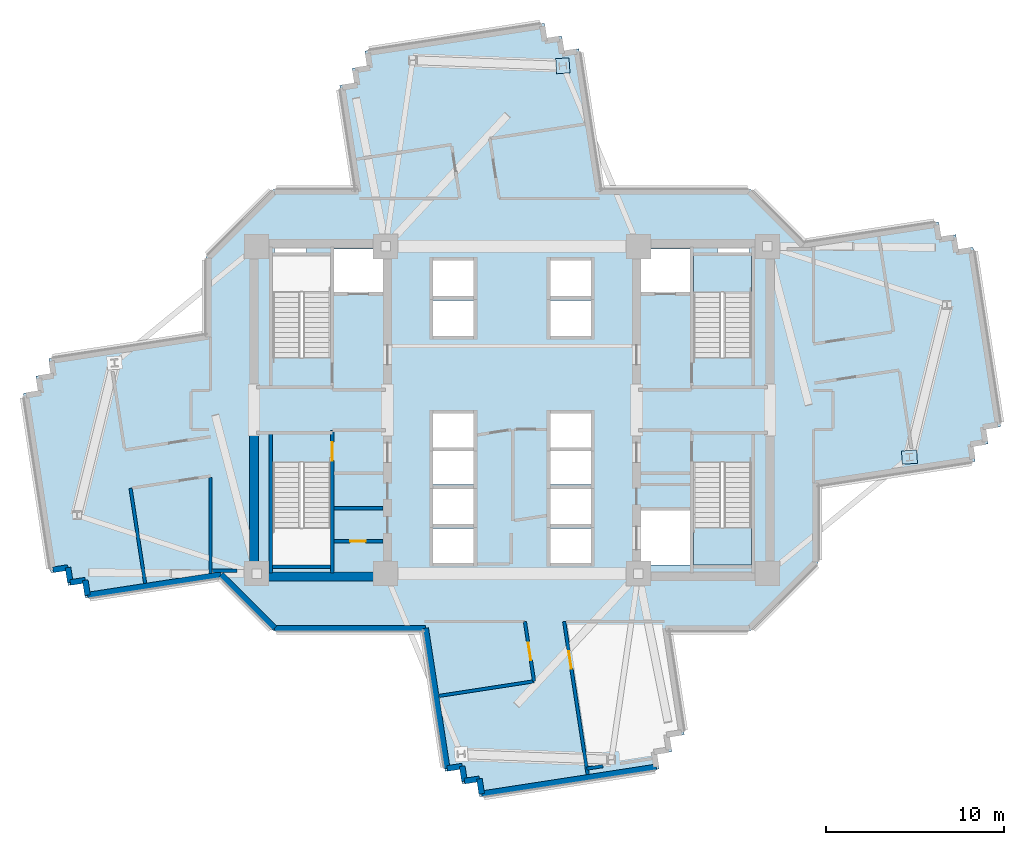
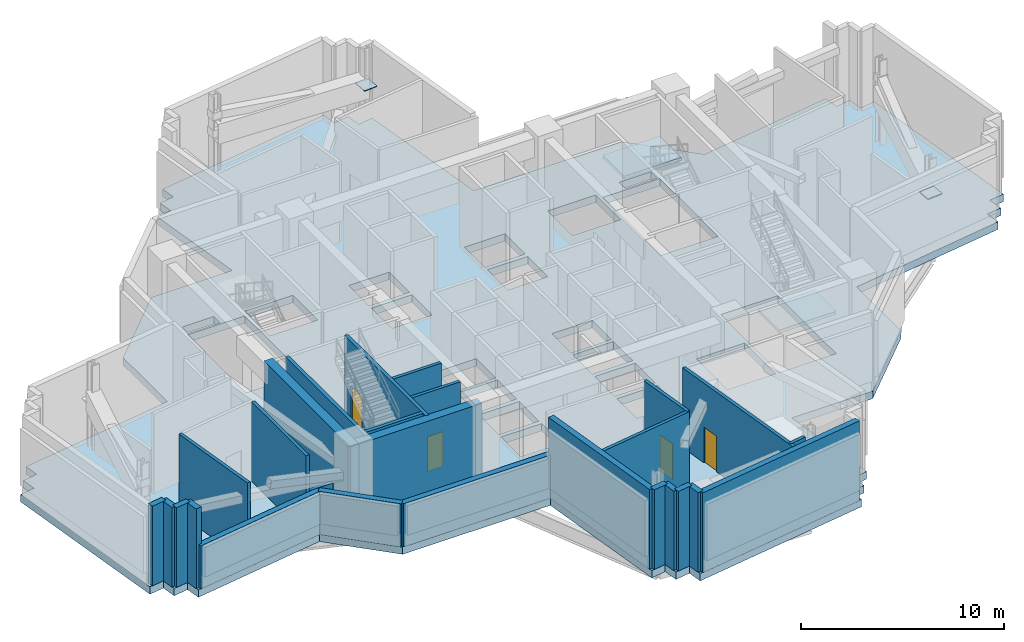
# One storey, part 2 of 10: 27 walls, 4 doors, 3 slabs, 2 plates, 4 openings, 2 elements without a shape of their own.
"""IFC4 building model written with IfcOpenShell, lengths in metres."""

from ifc_helpers import new_model, si_unit, direction, frame, frame_2d, origin, origin_2d, place, context, subcontext, project, spatial, polyline, rectangle, outline, extrude, source, transform, mapped, material, layer, layer_set, type_object, element, fill, aggregate, save


model = new_model("IFC4")

# Units and contexts
model_context = context("Model", 3, precision=1e-05, world=origin(), true_north=direction((0.0, 1.0)))
body_context = subcontext(model_context, "Body", "Model", "MODEL_VIEW")
ifc_project = project(units=[si_unit("LENGTHUNIT", "METRE"), si_unit("AREAUNIT", "SQUARE_METRE"), si_unit("VOLUMEUNIT", "CUBIC_METRE"), si_unit("PLANEANGLEUNIT", "RADIAN"), si_unit("MASSUNIT", "GRAM", prefix="KILO")], contexts=[model_context])

# Site, building, storey
site_placement = place(None, origin())
site = spatial("IfcSite", under=ifc_project, at=site_placement, CompositionType="ELEMENT")
building_placement = place(site_placement, origin())
building = spatial("IfcBuilding", under=site, at=building_placement, Name="Zahravan Cultural Tower", CompositionType="ELEMENT")
storey_placement = place(building_placement, frame((0.0, 0.0, 125.699951171875)))
storey = spatial("IfcBuildingStorey", under=building, at=storey_placement, Name="L28", CompositionType="ELEMENT", Elevation=125.699951171875)

# Stair, slab
ifc_material_1 = material(Name="Concrete C45/55", Category="concrete")
stair_type = type_object("IfcStairType", Name="STR-DL-1550-510", PredefinedType="HALF_TURN_STAIR", material=ifc_material_1)
stair_1_placement = place(storey_placement, origin())
stair_1 = element("IfcStair", 1, at=stair_1_placement, inside=storey, type_object=stair_type, Name="L28 East Core North Exit Stair ST-E1", PredefinedType="HALF_TURN_STAIR")
ifc_layer_1 = layer(ifc_material_1, 0.199951171875)
ifc_layer_set_1 = layer_set([ifc_layer_1], Name="Concrete C45/55")
slab_type_1 = type_object("IfcSlabType", Name="SL-STAIR-LND200", PredefinedType="LANDING", material=ifc_layer_set_1)
slab_1_placement = place(storey_placement, frame((0.0, 0.0, 2.35009765625)))
slab_1 = element("IfcSlab", 2, at=slab_1_placement, type_object=slab_type_1, Name="ST-E1 landing 1", PredefinedType="LANDING", context=body_context, shape_type="SweptSolid", body=[
    extrude(outline(polyline([(49.449951171875, 33.590087890625), (49.449951171875, 35.699951171875), (46.199951171875, 35.699951171875), (46.199951171875, 33.590087890625), (49.449951171875, 33.590087890625)])), origin(), (0.0, 0.0, 1.0), 0.199951171875),
])
aggregate(stair_1, [slab_1])

stair_2_placement = place(storey_placement, origin())
stair_2 = element("IfcStair", 3, at=stair_2_placement, inside=storey, type_object=stair_type, Name="L28 East Core South Exit Stair ST-E2", PredefinedType="HALF_TURN_STAIR")
slab_2_placement = place(storey_placement, frame((0.0, 0.0, 2.35009765625)))
slab_2 = element("IfcSlab", 4, at=slab_2_placement, type_object=slab_type_1, Name="ST-E2 landing 1", PredefinedType="LANDING", context=body_context, shape_type="SweptSolid", body=[
    extrude(outline(polyline([(46.199951171875, 20.409912109375), (46.199951171875, 18.300048828125), (49.449951171875, 18.300048828125), (49.449951171875, 20.409912109375), (46.199951171875, 20.409912109375)])), origin(), (0.0, 0.0, 1.0), 0.199951171875),
])
aggregate(stair_2, [slab_2])

# Slab
ifc_material_2 = material(Name="Concrete C50/60", Category="concrete")
ifc_layer_2 = layer(ifc_material_2, 0.449951171875)
ifc_layer_set_2 = layer_set([ifc_layer_2], Name="Concrete C50/60")
slab_type_2 = type_object("IfcSlabType", Name="SL-TRANS-450", PredefinedType="FLOOR", material=ifc_layer_set_2)
slab_3_placement = place(storey_placement, frame((0.0, 0.0, -0.449951171875)))
element("IfcSlab", 5, at=slab_3_placement, inside=storey, type_object=slab_type_2, Name="L28 Structural Floor Slab", PredefinedType="FLOOR", context=body_context, shape_type="SweptSolid", body=[
    extrude(outline(polyline([(52.39892578125, 36.40087890625), (49.39990234375, 39.39990234375), (40.9736328125, 39.39990234375), (39.758056640625, 47.306884765625), (38.91796875, 47.177734375), (38.788818359375, 48.017822265625), (37.948486328125, 47.888671875), (37.8193359375, 48.728759765625), (27.73779296875, 47.178955078125), (27.866943359375, 46.338623046875), (27.02685546875, 46.209716796875), (27.156005859375, 45.369384765625), (26.31591796875, 45.240234375), (27.2138671875, 39.39990234375), (22.60009765625, 39.39990234375), (18.800048828125, 35.60009765625), (18.800048828125, 31.235595703125), (9.96044921875, 29.876708984375), (10.089599609375, 29.03662109375), (9.24951171875, 28.907470703125), (9.378662109375, 28.0673828125), (8.53857421875, 27.93798828125), (10.08837890625, 17.8564453125), (10.9287109375, 17.985595703125), (11.057861328125, 17.1455078125), (11.89794921875, 17.274658203125), (12.027099609375, 16.4345703125), (19.60107421875, 17.59912109375), (22.60009765625, 14.60009765625), (31.0263671875, 14.60009765625), (32.241943359375, 6.693115234375), (33.08203125, 6.822265625), (33.211181640625, 5.982177734375), (34.051513671875, 6.111328125), (34.1806640625, 5.271240234375), (44.26220703125, 6.821044921875), (44.133056640625, 7.661376953125), (44.97314453125, 7.790283203125), (44.843994140625, 8.630615234375), (45.68408203125, 8.759765625), (44.7861328125, 14.60009765625), (49.39990234375, 14.60009765625), (53.199951171875, 18.39990234375), (53.199951171875, 22.764404296875), (62.03955078125, 24.123291015625), (61.910400390625, 24.96337890625), (62.75048828125, 25.092529296875), (62.621337890625, 25.9326171875), (63.46142578125, 26.06201171875), (61.91162109375, 36.1435546875), (61.0712890625, 36.014404296875), (60.942138671875, 36.8544921875), (60.10205078125, 36.725341796875), (59.972900390625, 37.5654296875), (52.39892578125, 36.40087890625)]), holes=[polyline([(22.550048828125, 29.949951171875), (22.550048828125, 35.699951171875), (25.800048828125, 35.699951171875), (25.800048828125, 29.949951171875), (22.550048828125, 29.949951171875)]), polyline([(22.550048828125, 18.300048828125), (22.550048828125, 24.050048828125), (25.800048828125, 24.050048828125), (25.800048828125, 18.300048828125), (22.550048828125, 18.300048828125)]), polyline([(46.199951171875, 29.949951171875), (46.199951171875, 35.699951171875), (49.449951171875, 35.699951171875), (49.449951171875, 29.949951171875), (46.199951171875, 29.949951171875)]), polyline([(46.199951171875, 18.300048828125), (46.199951171875, 24.050048828125), (49.449951171875, 24.050048828125), (49.449951171875, 18.300048828125), (46.199951171875, 18.300048828125)]), polyline([(26.0, 33.60009765625), (26.0, 36.050048828125), (28.75, 36.050048828125), (28.75, 33.60009765625), (26.0, 33.60009765625)]), polyline([(43.25, 33.60009765625), (43.25, 36.050048828125), (46.0, 36.050048828125), (46.0, 33.60009765625), (43.25, 33.60009765625)]), polyline([(43.25, 18.300048828125), (43.25, 21.35009765625), (46.0, 21.35009765625), (46.0, 18.300048828125), (43.25, 18.300048828125)]), polyline([(31.550048828125, 33.39990234375), (31.550048828125, 35.39990234375), (33.85009765625, 35.39990234375), (33.85009765625, 33.39990234375), (31.550048828125, 33.39990234375)]), polyline([(31.550048828125, 31.14990234375), (31.550048828125, 33.14990234375), (33.85009765625, 33.14990234375), (33.85009765625, 31.14990234375), (31.550048828125, 31.14990234375)]), polyline([(38.14990234375, 33.39990234375), (38.14990234375, 35.39990234375), (40.449951171875, 35.39990234375), (40.449951171875, 33.39990234375), (38.14990234375, 33.39990234375)]), polyline([(38.14990234375, 31.14990234375), (38.14990234375, 33.14990234375), (40.449951171875, 33.14990234375), (40.449951171875, 31.14990234375), (38.14990234375, 31.14990234375)]), polyline([(31.550048828125, 20.60009765625), (31.550048828125, 22.550048828125), (33.85009765625, 22.550048828125), (33.85009765625, 20.60009765625), (31.550048828125, 20.60009765625)]), polyline([(31.550048828125, 18.39990234375), (31.550048828125, 20.35009765625), (33.85009765625, 20.35009765625), (33.85009765625, 18.39990234375), (31.550048828125, 18.39990234375)]), polyline([(38.14990234375, 20.60009765625), (38.14990234375, 22.550048828125), (40.449951171875, 22.550048828125), (40.449951171875, 20.60009765625), (38.14990234375, 20.60009765625)]), polyline([(38.14990234375, 18.39990234375), (38.14990234375, 20.35009765625), (40.449951171875, 20.35009765625), (40.449951171875, 18.39990234375), (38.14990234375, 18.39990234375)]), polyline([(31.550048828125, 24.89990234375), (31.550048828125, 26.800048828125), (33.85009765625, 26.800048828125), (33.85009765625, 24.89990234375), (31.550048828125, 24.89990234375)]), polyline([(31.550048828125, 22.800048828125), (31.550048828125, 24.699951171875), (33.85009765625, 24.699951171875), (33.85009765625, 22.800048828125), (31.550048828125, 22.800048828125)]), polyline([(38.14990234375, 24.89990234375), (38.14990234375, 26.800048828125), (40.449951171875, 26.800048828125), (40.449951171875, 24.89990234375), (38.14990234375, 24.89990234375)]), polyline([(38.14990234375, 22.800048828125), (38.14990234375, 24.699951171875), (40.449951171875, 24.699951171875), (40.449951171875, 22.800048828125), (38.14990234375, 22.800048828125)]), polyline([(22.64990234375, 35.800048828125), (22.64990234375, 36.419921875), (24.449951171875, 36.419921875), (24.449951171875, 35.800048828125), (22.64990234375, 35.800048828125)]), polyline([(47.550048828125, 35.800048828125), (47.550048828125, 36.419921875), (49.35009765625, 36.419921875), (49.35009765625, 35.800048828125), (47.550048828125, 35.800048828125)])]), origin(), (0.0, 0.0, 1.0), 0.449951171875),
])

# Plates
ifc_material_3 = material(Name="Steel ASTM A572 Grade 50", Category="steel")
ifc_layer_3 = layer(ifc_material_3, 0.044921875)
ifc_layer_set_3 = layer_set([ifc_layer_3], Name="Steel ASTM A572 Grade 50")
plate_type = type_object("IfcPlateType", Name="PL-NODE-45", PredefinedType="SHEET", material=ifc_layer_set_3)
shared_shape_1 = source(origin(), body_context, "Body", "SweptSolid", [
    extrude(rectangle(XDim=0.85009765625, YDim=0.75, at=origin_2d()), origin(), (0.0, 0.0, 1.0), 0.044921875),
])
for number, where, z_axis, x_axis, name in (
    (6, (58.339111328125, 24.351806640625, 2.877685546875), (0.0, 0.0, 1.0), (0.99756405026, 0.069756473744, 0.0), "L28 Belt Node Cap Plate BN1"),
    (7, (38.857421875, 46.346435546875, 2.877685546875), (0.0, 0.0, 1.0), (-0.069756473744, 0.99756405026, 0.0), "L28 Belt Node Cap Plate BN1"),
):
    element("IfcPlate", number, at=place(storey_placement, frame(where, z_axis=z_axis, x_axis=x_axis)), inside=storey, type_object=plate_type, Name=name, PredefinedType="SHEET", context=body_context, shape_type="MappedRepresentation", body=[
        mapped(shared_shape_1, transform((0.0, 0.0, 0.0), x_axis=(1.0, 0.0, 0.0), y_axis=(0.0, 1.0, 0.0), z_axis=(0.0, 0.0, 1.0), scale=1.0)),
    ])

# Wall, opening, door
ifc_material_4 = material(Name="Gypsum plasterboard partition")
ifc_layer_4 = layer(ifc_material_4, 0.179931640625)
ifc_layer_set_4 = layer_set([ifc_layer_4], Name="Gypsum plasterboard partition")
wall_type_1 = type_object("IfcWallType", Name="W-COMP-180", PredefinedType="PARTITIONING", material=ifc_layer_set_4)
wall_1_placement = place(storey_placement, frame((26.0, 19.6201171875, 0.0), z_axis=(0.0, 0.0, 1.0), x_axis=(1.0, 0.0, 0.0)))
wall_1 = element("IfcWall", 8, at=wall_1_placement, inside=storey, type_object=wall_type_1, Name="L28 Interior Wall 026", PredefinedType="PARTITIONING", context=body_context, shape_type="SweptSolid", body=[
    extrude(rectangle(XDim=2.75, YDim=0.179931640625, at=frame_2d((1.375, 0.0))), origin(), (0.0, 0.0, 1.0), 4.800048828125),
])
opening_1_placement = place(wall_1_placement, frame((0.89990234375, 0.0, 0.0)))
opening_1 = element("IfcOpeningElement", 9, at=opening_1_placement, cuts=wall_1, Name="Opening D-L28-09", PredefinedType="OPENING", context=body_context, shape_type="SweptSolid", body=[
    extrude(rectangle(XDim=0.8798828125, YDim=2.10009765625, at=frame_2d((0.43994140625, 1.050048828125))), frame((0.0, 0.099853515625, 0.0), z_axis=(0.0, -1.0, 0.0), x_axis=(1.0, 0.0, 0.0)), (0.0, 0.0, 1.0), 0.199951171875),
])
door_type_1 = type_object("IfcDoorType", Name="DR-SVC-880", OperationType="NOTDEFINED", PredefinedType="DOOR", material=ifc_material_3)
shared_shape_2 = source(origin(), body_context, "Body", "SweptSolid", [
    extrude(rectangle(XDim=0.8798828125, YDim=2.10009765625, at=frame_2d((0.43994140625, 1.050048828125))), frame((0.0, 0.02490234375, 0.0), z_axis=(0.0, -1.0, 0.0), x_axis=(1.0, 0.0, 0.0)), (0.0, 0.0, 1.0), 0.050048828125),
])
door_1_placement = place(opening_1_placement, origin())
door_1 = element("IfcDoor", 10, at=door_1_placement, inside=storey, type_object=door_type_1, Name="L28 Door D-L28-09", OperationType="SINGLE_SWING_RIGHT", OverallHeight=2.10009765625, OverallWidth=0.8798828125, PredefinedType="DOOR", context=body_context, shape_type="MappedRepresentation", body=[
    mapped(shared_shape_2, transform((0.0, 0.0, 0.0), x_axis=(1.0, 0.0, 0.0), y_axis=(0.0, 1.0, 0.0), z_axis=(0.0, 0.0, 1.0), scale=1.0)),
])
fill(opening_1, door_1)

wall_2_placement = place(storey_placement, frame((36.72509765625, 15.10986328125, 0.0), z_axis=(0.0, 0.0, 1.0), x_axis=(0.151976189587, -0.988384154971, 0.0)))
wall_2 = element("IfcWall", 11, at=wall_2_placement, inside=storey, type_object=wall_type_1, Name="L28 Interior Wall 083", PredefinedType="PARTITIONING", context=body_context, shape_type="SweptSolid", body=[
    extrude(rectangle(XDim=3.397705078125, YDim=0.179931640625, at=frame_2d((1.69873046875, 0.0))), origin(), (0.0, 0.0, 1.0), 4.800048828125),
])
opening_2_placement = place(wall_2_placement, frame((1.198974609375, 0.0, 0.0)))
opening_2 = element("IfcOpeningElement", 12, at=opening_2_placement, cuts=wall_2, Name="Opening D-L28-20", PredefinedType="OPENING", context=body_context, shape_type="SweptSolid", body=[
    extrude(rectangle(XDim=1.0, YDim=2.14990234375, at=frame_2d((0.5, 1.074951171875))), frame((0.0, 0.099853515625, 0.0), z_axis=(0.0, -1.0, 0.0), x_axis=(1.0, 0.0, 0.0)), (0.0, 0.0, 1.0), 0.199951171875),
])
door_type_2 = type_object("IfcDoorType", Name="DR-COMP-1000", OperationType="NOTDEFINED", PredefinedType="DOOR", material=ifc_material_3)
shared_shape_3 = source(origin(), body_context, "Body", "SweptSolid", [
    extrude(rectangle(XDim=1.0, YDim=2.14990234375, at=frame_2d((0.5, 1.074951171875))), frame((0.0, 0.02490234375, 0.0), z_axis=(0.0, -1.0, 0.0), x_axis=(1.0, 0.0, 0.0)), (0.0, 0.0, 1.0), 0.050048828125),
])
door_2_placement = place(opening_2_placement, origin())
door_2 = element("IfcDoor", 13, at=door_2_placement, inside=storey, type_object=door_type_2, Name="L28 Door D-L28-20", OperationType="SINGLE_SWING_LEFT", OverallHeight=2.14990234375, OverallWidth=1.0, PredefinedType="DOOR", context=body_context, shape_type="MappedRepresentation", body=[
    mapped(shared_shape_3, transform((0.0, 0.0, 0.0), x_axis=(1.0, 0.0, 0.0), y_axis=(0.0, 1.0, 0.0), z_axis=(0.0, 0.0, 1.0), scale=1.0)),
])
fill(opening_2, door_2)

wall_3_placement = place(storey_placement, frame((40.253173828125, 6.50830078125, 0.0), z_axis=(0.0, 0.0, 1.0), x_axis=(-0.151934917519, 0.988390500176, 0.0)))
wall_3 = element("IfcWall", 14, at=wall_3_placement, inside=storey, type_object=wall_type_1, Name="L28 Interior Wall 106", PredefinedType="PARTITIONING", context=body_context, shape_type="SweptSolid", body=[
    extrude(rectangle(XDim=8.702880859375, YDim=0.179931640625, at=frame_2d((4.3515625, 0.0))), origin(), (0.0, 0.0, 1.0), 4.800048828125),
])
opening_3_placement = place(wall_3_placement, frame((6.022216796875, 0.0, 0.0)))
opening_3 = element("IfcOpeningElement", 15, at=opening_3_placement, cuts=wall_3, Name="Opening D-L28-14", PredefinedType="OPENING", context=body_context, shape_type="SweptSolid", body=[
    extrude(rectangle(XDim=1.0, YDim=2.14990234375, at=frame_2d((0.5, 1.074951171875))), frame((0.0, 0.099853515625, 0.0), z_axis=(0.0, -1.0, 0.0), x_axis=(1.0, 0.0, 0.0)), (0.0, 0.0, 1.0), 0.199951171875),
])
door_3_placement = place(opening_3_placement, origin())
door_3 = element("IfcDoor", 16, at=door_3_placement, inside=storey, type_object=door_type_2, Name="L28 Door D-L28-14", OperationType="SINGLE_SWING_LEFT", OverallHeight=2.14990234375, OverallWidth=1.0, PredefinedType="DOOR", context=body_context, shape_type="MappedRepresentation", body=[
    mapped(shared_shape_3, transform((0.0, 0.0, 0.0), x_axis=(1.0, 0.0, 0.0), y_axis=(0.0, 1.0, 0.0), z_axis=(0.0, 0.0, 1.0), scale=1.0)),
])
fill(opening_3, door_3)

ifc_layer_5 = layer(ifc_material_1, 0.199951171875)
ifc_layer_set_5 = layer_set([ifc_layer_5], Name="Concrete C45/55")
wall_type_2 = type_object("IfcWallType", Name="W-SHAFT-200", PredefinedType="SOLIDWALL", material=ifc_layer_set_5)
wall_4_placement = place(storey_placement, frame((25.89990234375, 17.85009765625, 0.0), z_axis=(0.0, 0.0, 1.0), x_axis=(0.0, 1.0, 0.0)))
wall_4 = element("IfcWall", 17, at=wall_4_placement, inside=storey, type_object=wall_type_2, Name="L28 Interior Wall 005", PredefinedType="SOLIDWALL", context=body_context, shape_type="SweptSolid", body=[
    extrude(rectangle(XDim=8.0, YDim=0.199951171875, at=frame_2d((4.0, 0.0))), origin(), (0.0, 0.0, 1.0), 4.800048828125),
])
opening_4_placement = place(wall_4_placement, frame((6.300048828125, 0.0, 0.0)))
opening_4 = element("IfcOpeningElement", 18, at=opening_4_placement, cuts=wall_4, Name="Opening D-L28-04", PredefinedType="OPENING", context=body_context, shape_type="SweptSolid", body=[
    extrude(rectangle(XDim=1.050048828125, YDim=2.14990234375, at=frame_2d((0.52490234375, 1.074951171875))), frame((0.0, 0.10986328125, 0.0), z_axis=(0.0, -1.0, 0.0), x_axis=(1.0, 0.0, 0.0)), (0.0, 0.0, 1.0), 0.219970703125),
])
door_type_3 = type_object("IfcDoorType", Name="DR-STAIR-1050", OperationType="NOTDEFINED", PredefinedType="DOOR", material=ifc_material_3)
shared_shape_4 = source(origin(), body_context, "Body", "SweptSolid", [
    extrude(rectangle(XDim=1.050048828125, YDim=2.14990234375, at=frame_2d((0.52490234375, 1.074951171875))), frame((0.0, 0.02490234375, 0.0), z_axis=(0.0, -1.0, 0.0), x_axis=(1.0, 0.0, 0.0)), (0.0, 0.0, 1.0), 0.050048828125),
])
door_4_placement = place(opening_4_placement, origin())
door_4 = element("IfcDoor", 19, at=door_4_placement, inside=storey, type_object=door_type_3, Name="L28 Door D-L28-04", OperationType="SINGLE_SWING_LEFT", OverallHeight=2.14990234375, OverallWidth=1.050048828125, PredefinedType="DOOR", context=body_context, shape_type="MappedRepresentation", body=[
    mapped(shared_shape_4, transform((0.0, 0.0, 0.0), x_axis=(1.0, 0.0, 0.0), y_axis=(0.0, 1.0, 0.0), z_axis=(0.0, 0.0, 1.0), scale=1.0)),
])
fill(opening_4, door_4)

# Walls
ifc_material_5 = material(Name="Concrete C60/75", Category="concrete")
ifc_layer_6 = layer(ifc_material_5, 0.5)
ifc_layer_set_6 = layer_set([ifc_layer_6], Name="Concrete C60/75")
wall_type_3 = type_object("IfcWallType", Name="CW-SHEAR-500-C60", PredefinedType="SHEAR", material=ifc_layer_set_6)
shared_shape_5 = source(origin(), body_context, "Body", "SweptSolid", [
    extrude(rectangle(XDim=8.550048828125, YDim=0.5, at=frame_2d((4.27490234375, 0.0))), origin(), (0.0, 0.0, 1.0), 4.800048828125),
])
wall_5_placement = place(storey_placement, frame((21.5, 17.39990234375, 0.0), z_axis=(0.0, 0.0, 1.0), x_axis=(0.0, 1.0, 0.0)))
element("IfcWall", 20, at=wall_5_placement, inside=storey, type_object=wall_type_3, Name="L28 Core Shear Wall CW-W-WS-L28", PredefinedType="SHEAR", context=body_context, shape_type="MappedRepresentation", body=[
    mapped(shared_shape_5, transform((0.0, 0.0, 0.0), x_axis=(1.0, 0.0, 0.0), y_axis=(0.0, 1.0, 0.0), z_axis=(0.0, 0.0, 1.0), scale=1.0)),
])
shared_shape_6 = source(origin(), body_context, "Body", "SweptSolid", [
    extrude(rectangle(XDim=7.0, YDim=0.5, at=frame_2d((3.5, 0.0))), origin(), (0.0, 0.0, 1.0), 4.800048828125),
])
wall_6_placement = place(storey_placement, frame((21.75, 17.64990234375, 0.0), z_axis=(0.0, 0.0, 1.0), x_axis=(1.0, 0.0, 0.0)))
element("IfcWall", 21, at=wall_6_placement, inside=storey, type_object=wall_type_3, Name="L28 Core Shear Wall CW-W-S-L28", PredefinedType="SHEAR", context=body_context, shape_type="MappedRepresentation", body=[
    mapped(shared_shape_6, transform((0.0, 0.0, 0.0), x_axis=(1.0, 0.0, 0.0), y_axis=(0.0, 1.0, 0.0), z_axis=(0.0, 0.0, 1.0), scale=1.0)),
])
ifc_material_6 = material(Name="Precast concrete C40/50", Category="concrete")
ifc_layer_7 = layer(ifc_material_6, 0.320068359375)
ifc_layer_set_7 = layer_set([ifc_layer_7], Name="Precast concrete C40/50")
wall_type_4 = type_object("IfcWallType", Name="EW-TC-320", PredefinedType="SOLIDWALL", material=ifc_layer_set_7)
shared_shape_7 = source(origin(), body_context, "Body", "SweptSolid", [
    extrude(rectangle(XDim=7.593994140625, YDim=0.320068359375, at=frame_2d((3.796875, 0.0))), origin(), (0.0, 0.0, 1.0), 2.592041015625),
])
wall_7_placement = place(storey_placement, frame((19.64990234375, 17.748291015625, 0.0), z_axis=(0.0, 0.0, 1.0), x_axis=(-0.988385445157, -0.151967798571, 0.0)))
element("IfcWall", 22, at=wall_7_placement, inside=storey, type_object=wall_type_4, Name="L28 Exterior Masonry Frame Wall 28", PredefinedType="SOLIDWALL", context=body_context, shape_type="MappedRepresentation", body=[
    mapped(shared_shape_7, transform((0.0, 0.0, 0.0), x_axis=(1.0, 0.0, 0.0), y_axis=(0.0, 1.0, 0.0), z_axis=(0.0, 0.0, 1.0), scale=1.0)),
])
shared_shape_8 = source(origin(), body_context, "Body", "SweptSolid", [
    extrude(rectangle(XDim=0.849853515625, YDim=0.320068359375, at=frame_2d((0.4248046875, 0.0))), origin(), (0.0, 0.0, 1.0), 4.800048828125),
])
for number, where, z_axis, x_axis, name in (
    (23, (34.297607421875, 5.430908203125, 0.0), (0.0, 0.0, 1.0), (-0.1519492613, 0.98838829515, 0.0), "L28 Exterior Masonry Frame Wall 21"),
    (24, (34.16845703125, 6.27099609375, 0.0), (0.0, 0.0, 1.0), (-0.98838829515, -0.1519492613, 0.0), "L28 Exterior Masonry Frame Wall 22"),
    (25, (33.328369140625, 6.141845703125, 0.0), (0.0, 0.0, 1.0), (-0.1519492613, 0.98838829515, 0.0), "L28 Exterior Masonry Frame Wall 23"),
    (26, (33.19921875, 6.98193359375, 0.0), (0.0, 0.0, 1.0), (-0.98838829515, -0.1519492613, 0.0), "L28 Exterior Masonry Frame Wall 24"),
    (27, (12.14404296875, 16.59423828125, 0.0), (0.0, 0.0, 1.0), (-0.1519492613, 0.98838829515, 0.0), "L28 Exterior Masonry Frame Wall 29"),
    (28, (12.014892578125, 17.434326171875, 0.0), (0.0, 0.0, 1.0), (-0.98838829515, -0.1519492613, 0.0), "L28 Exterior Masonry Frame Wall 30"),
):
    element("IfcWall", number, at=place(storey_placement, frame(where, z_axis=z_axis, x_axis=x_axis)), inside=storey, type_object=wall_type_4, Name=name, PredefinedType="SOLIDWALL", context=body_context, shape_type="MappedRepresentation", body=[
        mapped(shared_shape_8, transform((0.0, 0.0, 0.0), x_axis=(1.0, 0.0, 0.0), y_axis=(0.0, 1.0, 0.0), z_axis=(0.0, 0.0, 1.0), scale=1.0)),
    ])
shared_shape_9 = source(origin(), body_context, "Body", "SweptSolid", [
    extrude(rectangle(XDim=0.85009765625, YDim=0.320068359375, at=frame_2d((0.425048828125, 0.0))), origin(), (0.0, 0.0, 1.0), 4.800048828125),
])
for number, where, z_axis, x_axis, name in (
    (29, (11.1748046875, 17.30517578125, 0.0), (0.0, 0.0, 1.0), (-0.151906134495, 0.98839492426, 0.0), "L28 Exterior Masonry Frame Wall 31"),
    (30, (11.045654296875, 18.1455078125, 0.0), (0.0, 0.0, 1.0), (-0.988345118302, -0.152229849666, 0.0), "L28 Exterior Masonry Frame Wall 32"),
):
    element("IfcWall", number, at=place(storey_placement, frame(where, z_axis=z_axis, x_axis=x_axis)), inside=storey, type_object=wall_type_4, Name=name, PredefinedType="SOLIDWALL", context=body_context, shape_type="MappedRepresentation", body=[
        mapped(shared_shape_9, transform((0.0, 0.0, 0.0), x_axis=(1.0, 0.0, 0.0), y_axis=(0.0, 1.0, 0.0), z_axis=(0.0, 0.0, 1.0), scale=1.0)),
    ])
shared_shape_10 = source(origin(), body_context, "Body", "SweptSolid", [
    extrude(rectangle(XDim=9.920166015625, YDim=0.320068359375, at=frame_2d((4.9599609375, 0.0))), origin(), (0.0, 0.0, 1.0), 4.800048828125),
])
wall_8_placement = place(storey_placement, frame((44.1025390625, 6.938232421875, 0.0), z_axis=(0.0, 0.0, 1.0), x_axis=(-0.988388762401, -0.151946221933, 0.0)))
element("IfcWall", 31, at=wall_8_placement, inside=storey, type_object=wall_type_4, Name="L28 Exterior Masonry Frame Wall 20", PredefinedType="SOLIDWALL", context=body_context, shape_type="MappedRepresentation", body=[
    mapped(shared_shape_10, transform((0.0, 0.0, 0.0), x_axis=(1.0, 0.0, 0.0), y_axis=(0.0, 1.0, 0.0), z_axis=(0.0, 0.0, 1.0), scale=1.0)),
])
shared_shape_11 = source(origin(), body_context, "Body", "SweptSolid", [
    extrude(rectangle(XDim=7.97998046875, YDim=0.320068359375, at=frame_2d((3.989990234375, 0.0))), origin(), (0.0, 0.0, 1.0), 4.800048828125),
])
wall_9_placement = place(storey_placement, frame((32.359130859375, 6.852783203125, 0.0), z_axis=(0.0, 0.0, 1.0), x_axis=(-0.15196292418, 0.988386194599, 0.0)))
element("IfcWall", 32, at=wall_9_placement, inside=storey, type_object=wall_type_4, Name="L28 Exterior Masonry Frame Wall 25", PredefinedType="SOLIDWALL", context=body_context, shape_type="MappedRepresentation", body=[
    mapped(shared_shape_11, transform((0.0, 0.0, 0.0), x_axis=(1.0, 0.0, 0.0), y_axis=(0.0, 1.0, 0.0), z_axis=(0.0, 0.0, 1.0), scale=1.0)),
])
shared_shape_12 = source(origin(), body_context, "Body", "SweptSolid", [
    extrude(rectangle(XDim=8.488525390625, YDim=0.320068359375, at=frame_2d((4.244140625, 0.0))), origin(), (0.0, 0.0, 1.0), 2.592041015625),
])
wall_10_placement = place(storey_placement, frame((31.146484375, 14.739990234375, 0.0), z_axis=(0.0, 0.0, 1.0), x_axis=(-1.0, 0.0, 0.0)))
element("IfcWall", 33, at=wall_10_placement, inside=storey, type_object=wall_type_4, Name="L28 Exterior Masonry Frame Wall 26", PredefinedType="SOLIDWALL", context=body_context, shape_type="MappedRepresentation", body=[
    mapped(shared_shape_12, transform((0.0, 0.0, 0.0), x_axis=(1.0, 0.0, 0.0), y_axis=(0.0, 1.0, 0.0), z_axis=(0.0, 0.0, 1.0), scale=1.0)),
])
shared_shape_13 = source(origin(), body_context, "Body", "SweptSolid", [
    extrude(rectangle(XDim=4.254150390625, YDim=0.320068359375, at=frame_2d((2.126953125, 0.0))), origin(), (0.0, 0.0, 1.0), 2.592041015625),
])
wall_11_placement = place(storey_placement, frame((22.657958984375, 14.739990234375, 0.0), z_axis=(0.0, 0.0, 1.0), x_axis=(-0.707078086582, 0.707135474626, 0.0)))
element("IfcWall", 34, at=wall_11_placement, inside=storey, type_object=wall_type_4, Name="L28 Exterior Masonry Frame Wall 27", PredefinedType="SOLIDWALL", context=body_context, shape_type="MappedRepresentation", body=[
    mapped(shared_shape_13, transform((0.0, 0.0, 0.0), x_axis=(1.0, 0.0, 0.0), y_axis=(0.0, 1.0, 0.0), z_axis=(0.0, 0.0, 1.0), scale=1.0)),
])
shared_shape_14 = source(origin(), body_context, "Body", "SweptSolid", [
    extrude(rectangle(XDim=7.869873046875, YDim=0.199951171875, at=frame_2d((3.93505859375, 0.0))), origin(), (0.0, 0.0, 1.0), 4.800048828125),
])
wall_12_placement = place(storey_placement, frame((22.449951171875, 17.85009765625, 0.0), z_axis=(0.0, 0.0, 1.0), x_axis=(0.0, 1.0, 0.0)))
element("IfcWall", 35, at=wall_12_placement, inside=storey, type_object=wall_type_2, Name="L28 Interior Wall 001", PredefinedType="SOLIDWALL", context=body_context, shape_type="MappedRepresentation", body=[
    mapped(shared_shape_14, transform((0.0, 0.0, 0.0), x_axis=(1.0, 0.0, 0.0), y_axis=(0.0, 1.0, 0.0), z_axis=(0.0, 0.0, 1.0), scale=1.0)),
])
shared_shape_15 = source(origin(), body_context, "Body", "SweptSolid", [
    extrude(rectangle(XDim=3.25, YDim=0.199951171875, at=frame_2d((1.625, 0.0))), origin(), (0.0, 0.0, 1.0), 4.800048828125),
])
wall_13_placement = place(storey_placement, frame((22.550048828125, 18.199951171875, 0.0), z_axis=(0.0, 0.0, 1.0), x_axis=(1.0, 0.0, 0.0)))
element("IfcWall", 36, at=wall_13_placement, inside=storey, type_object=wall_type_2, Name="L28 Interior Wall 019", PredefinedType="SOLIDWALL", context=body_context, shape_type="MappedRepresentation", body=[
    mapped(shared_shape_15, transform((0.0, 0.0, 0.0), x_axis=(1.0, 0.0, 0.0), y_axis=(0.0, 1.0, 0.0), z_axis=(0.0, 0.0, 1.0), scale=1.0)),
])
shared_shape_16 = source(origin(), body_context, "Body", "SweptSolid", [
    extrude(rectangle(XDim=2.75, YDim=0.179931640625, at=frame_2d((1.375, 0.0))), origin(), (0.0, 0.0, 1.0), 4.800048828125),
])
wall_14_placement = place(storey_placement, frame((26.0, 21.47998046875, 0.0), z_axis=(0.0, 0.0, 1.0), x_axis=(1.0, 0.0, 0.0)))
element("IfcWall", 37, at=wall_14_placement, inside=storey, type_object=wall_type_1, Name="L28 Interior Wall 027", PredefinedType="PARTITIONING", context=body_context, shape_type="MappedRepresentation", body=[
    mapped(shared_shape_16, transform((0.0, 0.0, 0.0), x_axis=(1.0, 0.0, 0.0), y_axis=(0.0, 1.0, 0.0), z_axis=(0.0, 0.0, 1.0), scale=1.0)),
])
shared_shape_17 = source(origin(), body_context, "Body", "SweptSolid", [
    extrude(rectangle(XDim=5.405029296875, YDim=0.179931640625, at=frame_2d((2.70263671875, 0.0))), origin(), (0.0, 0.0, 1.0), 4.800048828125),
])
for number, where, z_axis, x_axis, name in (
    (38, (37.241455078125, 11.751708984375, 0.0), (0.0, 0.0, 1.0), (-0.988381616997, -0.151992694507, 0.0), "L28 Interior Wall 081"),
    (39, (15.380615234375, 17.2587890625, 0.0), (0.0, 0.0, 1.0), (-0.151904442233, 0.988395184342, 0.0), "L28 Interior Wall 088"),
):
    element("IfcWall", number, at=place(storey_placement, frame(where, z_axis=z_axis, x_axis=x_axis)), inside=storey, type_object=wall_type_1, Name=name, PredefinedType="PARTITIONING", context=body_context, shape_type="MappedRepresentation", body=[
        mapped(shared_shape_17, transform((0.0, 0.0, 0.0), x_axis=(1.0, 0.0, 0.0), y_axis=(0.0, 1.0, 0.0), z_axis=(0.0, 0.0, 1.0), scale=1.0)),
    ])
shared_shape_18 = source(origin(), body_context, "Body", "SweptSolid", [
    extrude(rectangle(XDim=5.376953125, YDim=0.179931640625, at=frame_2d((2.6884765625, 0.0))), origin(), (0.0, 0.0, 1.0), 4.800048828125),
])
wall_15_placement = place(storey_placement, frame((19.06005859375, 23.19677734375, 0.0), z_axis=(0.0, 0.0, 1.0), x_axis=(0.000363240078, -0.999999934028, 0.0)))
element("IfcWall", 40, at=wall_15_placement, inside=storey, type_object=wall_type_1, Name="L28 Interior Wall 090", PredefinedType="PARTITIONING", context=body_context, shape_type="MappedRepresentation", body=[
    mapped(shared_shape_18, transform((0.0, 0.0, 0.0), x_axis=(1.0, 0.0, 0.0), y_axis=(0.0, 1.0, 0.0), z_axis=(0.0, 0.0, 1.0), scale=1.0)),
])
shared_shape_19 = source(origin(), body_context, "Body", "SweptSolid", [
    extrude(rectangle(XDim=1.382080078125, YDim=0.179931640625, at=frame_2d((0.69091796875, 0.0))), origin(), (0.0, 0.0, 1.0), 2.592041015625),
])
wall_16_placement = place(storey_placement, frame((19.156982421875, 17.96044921875, 0.0), z_axis=(0.0, 0.0, 1.0), x_axis=(0.999999937592, -0.000353294449, 0.0)))
element("IfcWall", 41, at=wall_16_placement, inside=storey, type_object=wall_type_1, Name="L28 Interior Wall 091", PredefinedType="PARTITIONING", context=body_context, shape_type="MappedRepresentation", body=[
    mapped(shared_shape_19, transform((0.0, 0.0, 0.0), x_axis=(1.0, 0.0, 0.0), y_axis=(0.0, 1.0, 0.0), z_axis=(0.0, 0.0, 1.0), scale=1.0)),
])
shared_shape_20 = source(origin(), body_context, "Body", "SweptSolid", [
    extrude(rectangle(XDim=0.9140625, YDim=0.179931640625, at=frame_2d((0.45703125, 0.0))), origin(), (0.0, 0.0, 1.0), 4.800048828125),
])
wall_17_placement = place(storey_placement, frame((41.10498046875, 6.9833984375, 0.0), z_axis=(0.0, 0.0, 1.0), x_axis=(-0.988387129521, -0.151956843204, 0.0)))
element("IfcWall", 42, at=wall_17_placement, inside=storey, type_object=wall_type_1, Name="L28 Interior Wall 105", PredefinedType="PARTITIONING", context=body_context, shape_type="MappedRepresentation", body=[
    mapped(shared_shape_20, transform((0.0, 0.0, 0.0), x_axis=(1.0, 0.0, 0.0), y_axis=(0.0, 1.0, 0.0), z_axis=(0.0, 0.0, 1.0), scale=1.0)),
])

save(model, "model.ifc")
